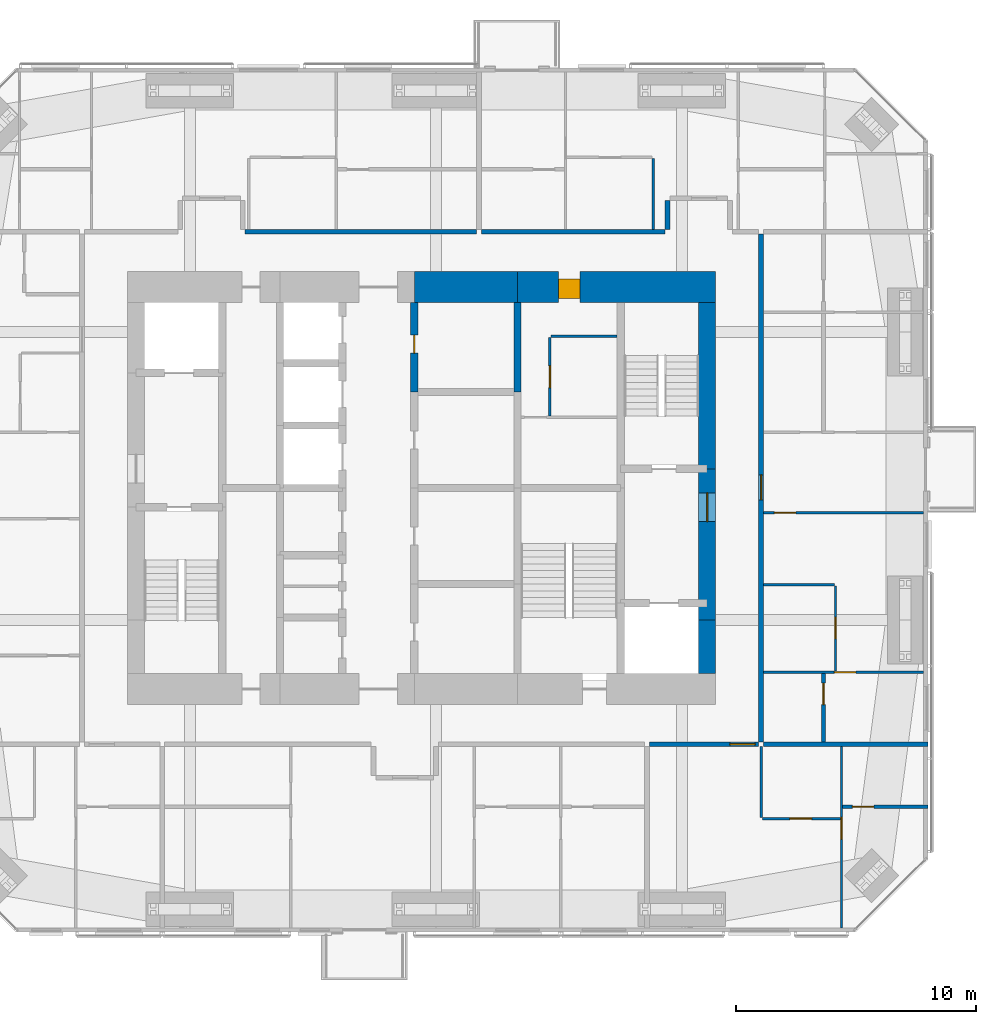
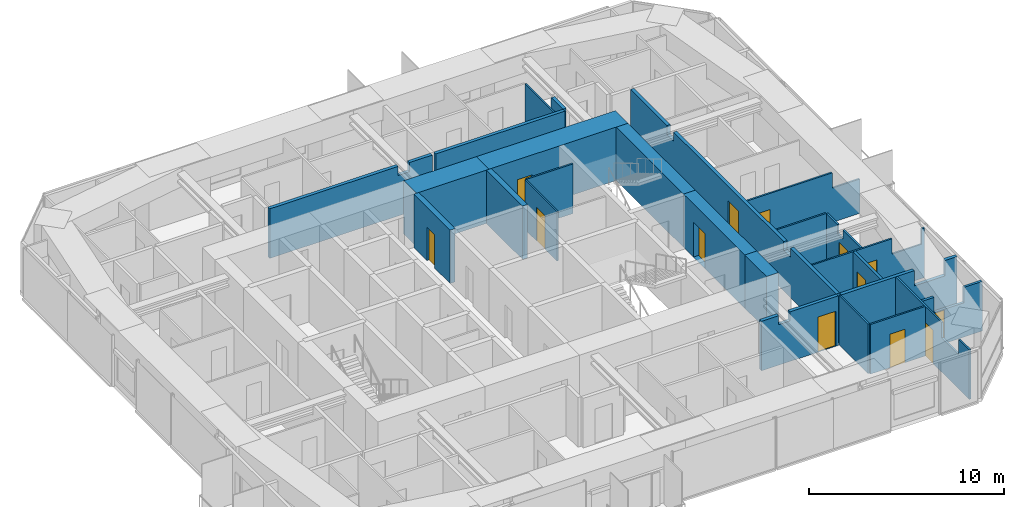
# One storey, part 19 of 23: 25 walls, 13 doors, 13 openings.
"""IFC4 building model written with IfcOpenShell, lengths in metres."""

from ifc_helpers import new_model, si_unit, direction, frame, frame_2d, origin, place, context, subcontext, project, spatial, polyline, rectangle, outline, extrude, material, layer, layer_set, constituent, constituent_set, type_object, element, fill, save


model = new_model("IFC4")

# Units and contexts
model_context = context("Model", 3, precision=1e-05, world=origin(), true_north=direction((0.0, 1.0)))
body_context = subcontext(model_context, "Body", "Model", "MODEL_VIEW")
ifc_project = project(units=[si_unit("LENGTHUNIT", "METRE"), si_unit("AREAUNIT", "SQUARE_METRE"), si_unit("VOLUMEUNIT", "CUBIC_METRE"), si_unit("PLANEANGLEUNIT", "RADIAN"), si_unit("MASSUNIT", "GRAM", prefix="KILO")], contexts=[model_context])

# Site, building, storey
site_placement = place(None, origin())
site = spatial("IfcSite", under=ifc_project, at=site_placement, CompositionType="ELEMENT")
building_placement = place(site_placement, origin())
building = spatial("IfcBuilding", under=site, at=building_placement, Name="Jalousie Tower", CompositionType="ELEMENT")
storey_placement = place(building_placement, frame((0.0, 0.0, 197.89990234375)))
storey = spatial("IfcBuildingStorey", under=building, at=storey_placement, Name="L54", CompositionType="ELEMENT", Elevation=197.89990234375)

# Wall, opening, door
ifc_material_1 = material(Name="Concrete block ASTM C90", Category="concrete")
ifc_constituent_1 = constituent(ifc_material_1, Name="Body")
ifc_material_2 = material(Name="Render")
ifc_constituent_2 = constituent(ifc_material_2, Name="Finish")
ifc_constituent_set_1 = constituent_set(constituents=[ifc_constituent_1, ifc_constituent_2])
wall_type_1 = type_object("IfcWallType", Name="BATHROOM WALL 150", PredefinedType="PLUMBINGWALL", material=ifc_constituent_set_1)
wall_1_placement = place(storey_placement, frame((49.449951171875, 5.22509765625, 0.0), z_axis=(0.0, 0.0, 1.0), x_axis=(1.0, 0.0, 0.0)))
wall_1 = element("IfcWall", 1, at=wall_1_placement, inside=storey, type_object=wall_type_1, Name="Bathroom Wall 150 L54", PredefinedType="PLUMBINGWALL", context=body_context, shape_type="SweptSolid", body=[
    extrude(outline(polyline([(0.0, 0.0), (3.550048828125, 0.0), (3.550048828125, 3.110107421875), (2.4716796875, 3.110107421875), (2.4716796875, 2.150146484375), (0.6865234375, 2.150146484375), (0.6865234375, 3.110107421875), (0.0, 3.110107421875), (0.0, 0.0)])), frame((0.0, 0.074951171875, 0.0), z_axis=(0.0, -1.0, 0.0), x_axis=(1.0, 0.0, 0.0)), (0.0, 0.0, 1.0), 0.14990234375),
])
opening_1_placement = place(wall_1_placement, frame((0.39990234375, 0.0, 0.0)))
opening_1 = element("IfcOpeningElement", 2, at=opening_1_placement, cuts=wall_1, Name="Opening D3", PredefinedType="OPENING", context=body_context, shape_type="SweptSolid", body=[
    extrude(rectangle(XDim=0.89990234375, YDim=2.10009765625, at=frame_2d((0.449951171875, 1.050048828125))), frame((0.0, 0.0849609375, 0.0), z_axis=(0.0, -1.0, 0.0), x_axis=(1.0, 0.0, 0.0)), (0.0, 0.0, 1.0), 0.169921875),
])
ifc_material_3 = material(Name="Timber door", Category="wood")
door_type_1 = type_object("IfcDoorType", Name="BATHROOM DOOR 900", OperationType="SINGLE_SWING_LEFT", PredefinedType="DOOR", material=ifc_material_3)
door_1_placement = place(opening_1_placement, origin())
door_1 = element("IfcDoor", 3, at=door_1_placement, inside=storey, type_object=door_type_1, Name="Apartment 5403 bedroom 1 bathroom door", OperationType="SINGLE_SWING_LEFT", OverallHeight=2.10009765625, OverallWidth=0.89990234375, PredefinedType="DOOR", context=body_context, shape_type="SweptSolid", body=[
    extrude(rectangle(XDim=0.89990234375, YDim=2.10009765625, at=frame_2d((0.449951171875, 1.050048828125))), frame((0.0, 0.02490234375, 0.0), z_axis=(0.0, -1.0, 0.0), x_axis=(1.0, 0.0, 0.0)), (0.0, 0.0, 1.0), 0.050048828125),
])
fill(opening_1, door_1)

wall_2_placement = place(storey_placement, frame((48.64990234375, 7.925048828125, 0.0), z_axis=(0.0, 0.0, 1.0), x_axis=(0.0, 1.0, 0.0)))
wall_2 = element("IfcWall", 4, at=wall_2_placement, inside=storey, type_object=wall_type_1, Name="Bathroom Wall 150 L54", PredefinedType="PLUMBINGWALL", context=body_context, shape_type="SweptSolid", body=[
    extrude(rectangle(XDim=2.849853515625, YDim=0.14990234375, at=frame_2d((1.4248046875, 0.0))), origin(), (0.0, 0.0, 1.0), 3.110107421875),
])
opening_2_placement = place(wall_2_placement, frame((1.550048828125, 0.0, 0.0)))
opening_2 = element("IfcOpeningElement", 5, at=opening_2_placement, cuts=wall_2, Name="Opening D3", PredefinedType="OPENING", context=body_context, shape_type="SweptSolid", body=[
    extrude(rectangle(XDim=0.89990234375, YDim=2.10009765625, at=frame_2d((0.449951171875, 1.050048828125))), frame((0.0, 0.0849609375, 0.0), z_axis=(0.0, -1.0, 0.0), x_axis=(1.0, 0.0, 0.0)), (0.0, 0.0, 1.0), 0.169921875),
])
door_2_placement = place(opening_2_placement, origin())
door_2 = element("IfcDoor", 6, at=door_2_placement, inside=storey, type_object=door_type_1, Name="Apartment 5407 bedroom 1 bathroom door", OperationType="SINGLE_SWING_RIGHT", OverallHeight=2.10009765625, OverallWidth=0.89990234375, PredefinedType="DOOR", context=body_context, shape_type="SweptSolid", body=[
    extrude(rectangle(XDim=0.89990234375, YDim=2.10009765625, at=frame_2d((0.449951171875, 1.050048828125))), frame((0.0, 0.02490234375, 0.0), z_axis=(0.0, -1.0, 0.0), x_axis=(1.0, 0.0, 0.0)), (0.0, 0.0, 1.0), 0.050048828125),
])
fill(opening_2, door_2)

ifc_material_4 = material(Name="Concrete f'c 120 MPa", Category="concrete")
ifc_layer_1 = layer(ifc_material_4, 1.300048828125)
ifc_layer_set_1 = layer_set([ifc_layer_1], Name="Concrete f'c 120 MPa")
wall_type_2 = type_object("IfcWallType", Name="CORE WALL 1300", PredefinedType="SHEAR", material=ifc_layer_set_1)
wall_3_placement = place(storey_placement, frame((44.14990234375, 26.875, 0.0), z_axis=(0.0, 0.0, 1.0), x_axis=(-1.0, 0.0, 0.0)))
wall_3 = element("IfcWall", 7, at=wall_3_placement, inside=storey, type_object=wall_type_2, Name="Core wall NA L54", PredefinedType="SHEAR", context=body_context, shape_type="SweptSolid", body=[
    extrude(rectangle(XDim=8.25, YDim=1.300048828125, at=frame_2d((4.125, 0.0))), origin(), (0.0, 0.0, 1.0), 3.35009765625),
])
opening_3_placement = place(wall_3_placement, frame((5.64990234375, 0.0, 0.0)))
opening_3 = element("IfcOpeningElement", 8, at=opening_3_placement, cuts=wall_3, Name="Opening D25", PredefinedType="OPENING", context=body_context, shape_type="SweptSolid", body=[
    extrude(rectangle(XDim=0.89990234375, YDim=2.10009765625, at=frame_2d((0.449951171875, 1.050048828125))), frame((0.0, 0.659912109375, 0.0), z_axis=(0.0, -1.0, 0.0), x_axis=(1.0, 0.0, 0.0)), (0.0, 0.0, 1.0), 1.320068359375),
])
ifc_material_5 = material(Name="Steel fire door", Category="steel")
door_type_2 = type_object("IfcDoorType", Name="SERVICE LOBBY DOOR 900", OperationType="SINGLE_SWING_LEFT", PredefinedType="DOOR", material=ifc_material_5)
door_3_placement = place(opening_3_placement, origin())
door_3 = element("IfcDoor", 9, at=door_3_placement, inside=storey, type_object=door_type_2, Name="Service lobby door", OperationType="SINGLE_SWING_RIGHT", OverallHeight=2.10009765625, OverallWidth=0.89990234375, PredefinedType="DOOR", context=body_context, shape_type="SweptSolid", body=[
    extrude(rectangle(XDim=0.89990234375, YDim=2.10009765625, at=frame_2d((0.449951171875, 1.050048828125))), frame((0.0, 0.47021484375, 0.0), z_axis=(0.0, -1.0, 0.0), x_axis=(1.0, 0.0, 0.0)), (0.0, 0.0, 1.0), 0.800048828125),
])
fill(opening_3, door_3)

# Wall
wall_4_placement = place(storey_placement, frame((35.89990234375, 26.875, 0.0), z_axis=(0.0, 0.0, 1.0), x_axis=(-1.0, 0.0, 0.0)))
element("IfcWall", 10, at=wall_4_placement, inside=storey, type_object=wall_type_2, Name="Core wall NB L54", PredefinedType="SHEAR", context=body_context, shape_type="SweptSolid", body=[
    extrude(rectangle(XDim=4.2998046875, YDim=1.300048828125, at=frame_2d((2.14990234375, 0.0))), origin(), (0.0, 0.0, 1.0), 3.35009765625),
])

# Wall, opening, door
ifc_material_6 = material(Name="Concrete f'c 120 MPa", Category="concrete")
ifc_layer_2 = layer(ifc_material_6, 0.300048828125)
ifc_layer_set_2 = layer_set([ifc_layer_2], Name="Concrete f'c 120 MPa")
wall_type_3 = type_object("IfcWallType", Name="CORE WALL 300", PredefinedType="SHEAR", material=ifc_layer_set_2)
wall_5_placement = place(storey_placement, frame((31.60009765625, 22.5, 0.0), z_axis=(0.0, 0.0, 1.0), x_axis=(0.0, 1.0, 0.0)))
wall_5 = element("IfcWall", 11, at=wall_5_placement, inside=storey, type_object=wall_type_3, Name="Core wall X31.6D L54", PredefinedType="SHEAR", context=body_context, shape_type="SweptSolid", body=[
    extrude(rectangle(XDim=3.72509765625, YDim=0.300048828125, at=frame_2d((1.862548828125, 0.0))), origin(), (0.0, 0.0, 1.0), 3.35009765625),
])
opening_4_placement = place(wall_5_placement, frame((1.625, 0.0, 0.0)))
opening_4 = element("IfcOpeningElement", 12, at=opening_4_placement, cuts=wall_5, Name="Opening D16", PredefinedType="OPENING", context=body_context, shape_type="SweptSolid", body=[
    extrude(rectangle(XDim=0.75, YDim=2.10009765625, at=frame_2d((0.375, 1.050048828125))), frame((0.0, 0.159912109375, 0.0), z_axis=(0.0, -1.0, 0.0), x_axis=(1.0, 0.0, 0.0)), (0.0, 0.0, 1.0), 0.320068359375),
])
ifc_material_7 = material(Name="Steel fire door", Category="steel")
door_type_3 = type_object("IfcDoorType", Name="RISER DOOR 750", OperationType="SINGLE_SWING_LEFT", PredefinedType="DOOR", material=ifc_material_7)
door_4_placement = place(opening_4_placement, frame((0.75, 0.0, 0.0), z_axis=(0.0, 0.0, 1.0), x_axis=(-1.0, 0.0, 0.0)))
door_4 = element("IfcDoor", 13, at=door_4_placement, inside=storey, type_object=door_type_3, Name="Water Services Room door", OperationType="SINGLE_SWING_LEFT", OverallHeight=2.10009765625, OverallWidth=0.75, PredefinedType="DOOR", context=body_context, shape_type="SweptSolid", body=[
    extrude(rectangle(XDim=0.75, YDim=2.10009765625, at=frame_2d((0.375, 1.050048828125))), frame((0.0, 0.02490234375, 0.0), z_axis=(0.0, -1.0, 0.0), x_axis=(1.0, 0.0, 0.0)), (0.0, 0.0, 1.0), 0.050048828125),
])
fill(opening_4, door_4)

# Walls
wall_6_placement = place(storey_placement, frame((35.89990234375, 22.5, 0.0), z_axis=(0.0, 0.0, 1.0), x_axis=(0.0, 1.0, 0.0)))
element("IfcWall", 14, at=wall_6_placement, inside=storey, type_object=wall_type_3, Name="Core wall X35.9D L54", PredefinedType="SHEAR", context=body_context, shape_type="SweptSolid", body=[
    extrude(rectangle(XDim=3.72509765625, YDim=0.300048828125, at=frame_2d((1.862548828125, 0.0))), origin(), (0.0, 0.0, 1.0), 3.35009765625),
])
ifc_material_8 = material(Name="Concrete f'c 120 MPa", Category="concrete")
ifc_layer_3 = layer(ifc_material_8, 0.699951171875)
ifc_layer_set_3 = layer_set([ifc_layer_3], Name="Concrete f'c 120 MPa")
wall_type_4 = type_object("IfcWallType", Name="CORE WALL 700", PredefinedType="SHEAR", material=ifc_layer_set_3)
wall_7_placement = place(storey_placement, frame((43.800048828125, 10.77490234375, 0.0), z_axis=(0.0, 0.0, 1.0), x_axis=(0.0, 1.0, 0.0)))
element("IfcWall", 15, at=wall_7_placement, inside=storey, type_object=wall_type_4, Name="Core wall EA L54", PredefinedType="SHEAR", context=body_context, shape_type="SweptSolid", body=[
    extrude(rectangle(XDim=2.22509765625, YDim=0.699951171875, at=frame_2d((1.112548828125, 0.0))), origin(), (0.0, 0.0, 1.0), 3.35009765625),
])

# Wall, opening, door
wall_8_placement = place(storey_placement, frame((43.800048828125, 13.0, 0.0), z_axis=(0.0, 0.0, 1.0), x_axis=(0.0, 1.0, 0.0)))
wall_8 = element("IfcWall", 16, at=wall_8_placement, inside=storey, type_object=wall_type_4, Name="Core wall EB L54", PredefinedType="SHEAR", context=body_context, shape_type="SweptSolid", body=[
    extrude(rectangle(XDim=6.300048828125, YDim=0.699951171875, at=frame_2d((3.14990234375, 0.0))), origin(), (0.0, 0.0, 1.0), 3.35009765625),
])
opening_5_placement = place(wall_8_placement, frame((4.10009765625, 0.0, 0.0)))
opening_5 = element("IfcOpeningElement", 17, at=opening_5_placement, cuts=wall_8, Name="Opening D11", PredefinedType="OPENING", context=body_context, shape_type="SweptSolid", body=[
    extrude(rectangle(XDim=1.199951171875, YDim=2.199951171875, at=frame_2d((0.60009765625, 1.10009765625))), frame((0.0, 0.35986328125, 0.0), z_axis=(0.0, -1.0, 0.0), x_axis=(1.0, 0.0, 0.0)), (0.0, 0.0, 1.0), 0.719970703125),
])
ifc_material_9 = material(Name="Steel fire door", Category="steel")
door_type_4 = type_object("IfcDoorType", Name="FIRE DOOR 1200", OperationType="SINGLE_SWING_LEFT", PredefinedType="DOOR", material=ifc_material_9)
door_5_placement = place(opening_5_placement, origin())
door_5 = element("IfcDoor", 18, at=door_5_placement, inside=storey, type_object=door_type_4, Name="Fire-fighting lobby B door", OperationType="SINGLE_SWING_RIGHT", OverallHeight=2.199951171875, OverallWidth=1.199951171875, PredefinedType="DOOR", context=body_context, shape_type="SweptSolid", body=[
    extrude(rectangle(XDim=1.199951171875, YDim=2.199951171875, at=frame_2d((0.60009765625, 1.10009765625))), frame((0.0, 0.02490234375, 0.0), z_axis=(0.0, -1.0, 0.0), x_axis=(1.0, 0.0, 0.0)), (0.0, 0.0, 1.0), 0.050048828125),
])
fill(opening_5, door_5)

# Wall
wall_9_placement = place(storey_placement, frame((43.800048828125, 19.300048828125, 0.0), z_axis=(0.0, 0.0, 1.0), x_axis=(0.0, 1.0, 0.0)))
element("IfcWall", 19, at=wall_9_placement, inside=storey, type_object=wall_type_4, Name="Core wall EC L54", PredefinedType="SHEAR", context=body_context, shape_type="SweptSolid", body=[
    extrude(rectangle(XDim=6.925048828125, YDim=0.699951171875, at=frame_2d((3.46240234375, 0.0))), origin(), (0.0, 0.0, 1.0), 3.35009765625),
])

# Wall, opening, door
ifc_material_10 = material(Name="Concrete block ASTM C90", Category="concrete")
ifc_constituent_3 = constituent(ifc_material_10, Name="Body")
ifc_material_11 = material(Name="Render")
ifc_constituent_4 = constituent(ifc_material_11, Name="Finish")
ifc_constituent_set_2 = constituent_set(constituents=[ifc_constituent_3, ifc_constituent_4])
wall_type_5 = type_object("IfcWallType", Name="CORRIDOR WALL 200", PredefinedType="PARTITIONING", material=ifc_constituent_set_2)
wall_10_placement = place(storey_placement, frame((41.39990234375, 7.824951171875, 0.0), z_axis=(0.0, 0.0, 1.0), x_axis=(1.0, 0.0, 0.0)))
wall_10 = element("IfcWall", 20, at=wall_10_placement, inside=storey, type_object=wall_type_5, Name="Corridor Wall 200 L54", PredefinedType="PARTITIONING", context=body_context, shape_type="SweptSolid", body=[
    extrude(outline(polyline([(0.0, 0.0), (4.550048828125, 0.0), (4.550048828125, 3.110107421875), (1.6875, 3.110107421875), (1.6875, 2.541015625), (1.0126953125, 2.541015625), (1.0126953125, 3.110107421875), (0.0, 3.110107421875), (0.0, 0.0)])), frame((0.0, 0.10009765625, 0.0), z_axis=(0.0, -1.0, 0.0), x_axis=(1.0, 0.0, 0.0)), (0.0, 0.0, 1.0), 0.199951171875),
])
opening_6_placement = place(wall_10_placement, frame((3.35009765625, 0.0, 0.0)))
opening_6 = element("IfcOpeningElement", 21, at=opening_6_placement, cuts=wall_10, Name="Opening D1", PredefinedType="OPENING", context=body_context, shape_type="SweptSolid", body=[
    extrude(rectangle(XDim=1.050048828125, YDim=2.199951171875, at=frame_2d((0.52490234375, 1.10009765625))), frame((0.0, 0.10986328125, 0.0), z_axis=(0.0, -1.0, 0.0), x_axis=(1.0, 0.0, 0.0)), (0.0, 0.0, 1.0), 0.219970703125),
])
ifc_material_12 = material(Name="Timber fire door", Category="wood")
door_type_5 = type_object("IfcDoorType", Name="APARTMENT ENTRANCE DOOR 1050", OperationType="SINGLE_SWING_LEFT", PredefinedType="DOOR", material=ifc_material_12)
door_6_placement = place(opening_6_placement, frame((1.050048828125, 0.0, 0.0), z_axis=(0.0, 0.0, 1.0), x_axis=(-1.0, 0.0, 0.0)))
door_6 = element("IfcDoor", 22, at=door_6_placement, inside=storey, type_object=door_type_5, Name="Apartment 5403 entrance", OperationType="SINGLE_SWING_LEFT", OverallHeight=2.199951171875, OverallWidth=1.050048828125, PredefinedType="DOOR", context=body_context, shape_type="SweptSolid", body=[
    extrude(rectangle(XDim=1.050048828125, YDim=2.199951171875, at=frame_2d((0.52490234375, 1.10009765625))), frame((0.0, 0.02490234375, 0.0), z_axis=(0.0, -1.0, 0.0), x_axis=(1.0, 0.0, 0.0)), (0.0, 0.0, 1.0), 0.050048828125),
])
fill(opening_6, door_6)

# Wall
wall_11_placement = place(storey_placement, frame((34.39990234375, 29.175048828125, 0.0), z_axis=(0.0, 0.0, 1.0), x_axis=(1.0, 0.0, 0.0)))
element("IfcWall", 23, at=wall_11_placement, inside=storey, type_object=wall_type_5, Name="Corridor Wall 200 L54", PredefinedType="PARTITIONING", context=body_context, shape_type="SweptSolid", body=[
    extrude(rectangle(XDim=7.650146484375, YDim=0.199951171875, at=frame_2d((3.8251953125, 0.0))), origin(), (0.0, 0.0, 1.0), 3.110107421875),
])

# Wall, opening, door
wall_12_placement = place(storey_placement, frame((46.050048828125, 7.925048828125, 0.0), z_axis=(0.0, 0.0, 1.0), x_axis=(0.0, 1.0, 0.0)))
wall_12 = element("IfcWall", 24, at=wall_12_placement, inside=storey, type_object=wall_type_5, Name="Corridor Wall 200 L54", PredefinedType="PARTITIONING", context=body_context, shape_type="SweptSolid", body=[
    extrude(outline(polyline([(0.0, 0.0), (21.14990234375, 0.0), (21.14990234375, 3.110107421875), (17.412353515625, 3.110107421875), (17.412353515625, 2.541015625), (16.737548828125, 2.541015625), (16.737548828125, 3.110107421875), (5.412353515625, 3.110107421875), (5.412353515625, 2.541015625), (4.73779296875, 2.541015625), (4.73779296875, 3.110107421875), (0.0, 3.110107421875), (0.0, 0.0)])), frame((0.0, 0.10009765625, 0.0), z_axis=(0.0, -1.0, 0.0), x_axis=(1.0, 0.0, 0.0)), (0.0, 0.0, 1.0), 0.199951171875),
])
opening_7_placement = place(wall_12_placement, frame((10.074951171875, 0.0, 0.0)))
opening_7 = element("IfcOpeningElement", 25, at=opening_7_placement, cuts=wall_12, Name="Opening D1", PredefinedType="OPENING", context=body_context, shape_type="SweptSolid", body=[
    extrude(rectangle(XDim=1.050048828125, YDim=2.199951171875, at=frame_2d((0.52490234375, 1.10009765625))), frame((0.0, 0.10986328125, 0.0), z_axis=(0.0, -1.0, 0.0), x_axis=(1.0, 0.0, 0.0)), (0.0, 0.0, 1.0), 0.219970703125),
])
door_7_placement = place(opening_7_placement, frame((1.050048828125, 0.0, 0.0), z_axis=(0.0, 0.0, 1.0), x_axis=(-1.0, 0.0, 0.0)))
door_7 = element("IfcDoor", 26, at=door_7_placement, inside=storey, type_object=door_type_5, Name="Apartment 5407 entrance", OperationType="SINGLE_SWING_RIGHT", OverallHeight=2.199951171875, OverallWidth=1.050048828125, PredefinedType="DOOR", context=body_context, shape_type="SweptSolid", body=[
    extrude(rectangle(XDim=1.050048828125, YDim=2.199951171875, at=frame_2d((0.52490234375, 1.10009765625))), frame((0.0, 0.02490234375, 0.0), z_axis=(0.0, -1.0, 0.0), x_axis=(1.0, 0.0, 0.0)), (0.0, 0.0, 1.0), 0.050048828125),
])
fill(opening_7, door_7)

# Walls
wall_13_placement = place(storey_placement, frame((24.550048828125, 29.175048828125, 0.0), z_axis=(0.0, 0.0, 1.0), x_axis=(1.0, 0.0, 0.0)))
element("IfcWall", 27, at=wall_13_placement, inside=storey, type_object=wall_type_5, Name="Corridor Wall 200 L54", PredefinedType="PARTITIONING", context=body_context, shape_type="SweptSolid", body=[
    extrude(outline(polyline([(0.0, 0.0), (9.64990234375, 0.0), (9.64990234375, 3.110107421875), (8.287353515625, 3.110107421875), (8.287353515625, 2.541015625), (7.612548828125, 2.541015625), (7.612548828125, 3.110107421875), (0.0, 3.110107421875), (0.0, 0.0)])), frame((0.0, 0.10009765625, 0.0), z_axis=(0.0, -1.0, 0.0), x_axis=(1.0, 0.0, 0.0)), (0.0, 0.0, 1.0), 0.199951171875),
])
wall_14_placement = place(storey_placement, frame((42.14990234375, 29.27490234375, 0.0), z_axis=(0.0, 0.0, 1.0), x_axis=(0.0, 1.0, 0.0)))
element("IfcWall", 28, at=wall_14_placement, inside=storey, type_object=wall_type_5, Name="Corridor Wall 200 L54", PredefinedType="PARTITIONING", context=body_context, shape_type="SweptSolid", body=[
    extrude(rectangle(XDim=1.2001953125, YDim=0.199951171875, at=frame_2d((0.60009765625, 0.0))), origin(), (0.0, 0.0, 1.0), 3.110107421875),
])

# Wall, opening, door
ifc_material_13 = material(Name="Gypsum board", Category="gypsum")
ifc_constituent_5 = constituent(ifc_material_13, Name="Body")
ifc_material_14 = material(Name="Light-gauge steel studs ASTM A653 SS Grade 33", Category="steel")
ifc_constituent_6 = constituent(ifc_material_14, Name="Framing")
ifc_constituent_set_3 = constituent_set(constituents=[ifc_constituent_5, ifc_constituent_6])
wall_type_6 = type_object("IfcWallType", Name="PARTITION 100", PredefinedType="PARTITIONING", material=ifc_constituent_set_3)
wall_15_placement = place(storey_placement, frame((49.39990234375, 0.175048828125, 0.0), z_axis=(0.0, 0.0, 1.0), x_axis=(0.0, 1.0, 0.0)))
wall_15 = element("IfcWall", 29, at=wall_15_placement, inside=storey, type_object=wall_type_6, Name="Partition 100 L54", PredefinedType="PARTITIONING", context=body_context, shape_type="SweptSolid", body=[
    extrude(outline(polyline([(0.0, 0.0), (7.550048828125, 0.0), (7.550048828125, 3.110107421875), (2.825439453125, 3.110107421875), (2.825439453125, 2.150146484375), (1.07861328125, 2.150146484375), (1.07861328125, 3.110107421875), (0.0, 3.110107421875), (0.0, 0.0)])), frame((0.0, 0.050048828125, 0.0), z_axis=(0.0, -1.0, 0.0), x_axis=(1.0, 0.0, 0.0)), (0.0, 0.0, 1.0), 0.10009765625),
])
opening_8_placement = place(wall_15_placement, frame((3.699951171875, 0.0, 0.0)))
opening_8 = element("IfcOpeningElement", 30, at=opening_8_placement, cuts=wall_15, Name="Opening D2", PredefinedType="OPENING", context=body_context, shape_type="SweptSolid", body=[
    extrude(rectangle(XDim=0.89990234375, YDim=2.10009765625, at=frame_2d((0.449951171875, 1.050048828125))), frame((0.0, 0.06005859375, 0.0), z_axis=(0.0, -1.0, 0.0), x_axis=(1.0, 0.0, 0.0)), (0.0, 0.0, 1.0), 0.1201171875),
])
ifc_material_15 = material(Name="Timber door", Category="wood")
door_type_6 = type_object("IfcDoorType", Name="BEDROOM DOOR 900", OperationType="SINGLE_SWING_LEFT", PredefinedType="DOOR", material=ifc_material_15)
door_8_placement = place(opening_8_placement, frame((0.89990234375, 0.0, 0.0), z_axis=(0.0, 0.0, 1.0), x_axis=(-1.0, 0.0, 0.0)))
door_8 = element("IfcDoor", 31, at=door_8_placement, inside=storey, type_object=door_type_6, Name="Apartment 5403 bedroom 1 door", OperationType="SINGLE_SWING_LEFT", OverallHeight=2.10009765625, OverallWidth=0.89990234375, PredefinedType="DOOR", context=body_context, shape_type="SweptSolid", body=[
    extrude(rectangle(XDim=0.89990234375, YDim=2.10009765625, at=frame_2d((0.449951171875, 1.050048828125))), frame((0.0, 0.02490234375, 0.0), z_axis=(0.0, -1.0, 0.0), x_axis=(1.0, 0.0, 0.0)), (0.0, 0.0, 1.0), 0.050048828125),
])
fill(opening_8, door_8)

wall_16_placement = place(storey_placement, frame((46.10009765625, 4.72509765625, 0.0), z_axis=(0.0, 0.0, 1.0), x_axis=(1.0, 0.0, 0.0)))
wall_16 = element("IfcWall", 32, at=wall_16_placement, inside=storey, type_object=wall_type_6, Name="Partition 100 L54", PredefinedType="PARTITIONING", context=body_context, shape_type="SweptSolid", body=[
    extrude(rectangle(XDim=3.25, YDim=0.10009765625, at=frame_2d((1.625, 0.0))), origin(), (0.0, 0.0, 1.0), 3.110107421875),
])
opening_9_placement = place(wall_16_placement, frame((1.14990234375, 0.0, 0.0)))
opening_9 = element("IfcOpeningElement", 33, at=opening_9_placement, cuts=wall_16, Name="Opening D7", PredefinedType="OPENING", context=body_context, shape_type="SweptSolid", body=[
    extrude(rectangle(XDim=0.89990234375, YDim=2.10009765625, at=frame_2d((0.449951171875, 1.050048828125))), frame((0.0, 0.06005859375, 0.0), z_axis=(0.0, -1.0, 0.0), x_axis=(1.0, 0.0, 0.0)), (0.0, 0.0, 1.0), 0.1201171875),
])
ifc_material_16 = material(Name="Timber door", Category="wood")
door_type_7 = type_object("IfcDoorType", Name="INTERNAL DOOR 900", OperationType="SINGLE_SWING_LEFT", PredefinedType="DOOR", material=ifc_material_16)
door_9_placement = place(opening_9_placement, frame((0.89990234375, 0.0, 0.0), z_axis=(0.0, 0.0, 1.0), x_axis=(-1.0, 0.0, 0.0)))
door_9 = element("IfcDoor", 34, at=door_9_placement, inside=storey, type_object=door_type_7, Name="Apartment 5403 kitchen door", OperationType="SINGLE_SWING_LEFT", OverallHeight=2.10009765625, OverallWidth=0.89990234375, PredefinedType="DOOR", context=body_context, shape_type="SweptSolid", body=[
    extrude(rectangle(XDim=0.89990234375, YDim=2.10009765625, at=frame_2d((0.449951171875, 1.050048828125))), frame((0.0, 0.02490234375, 0.0), z_axis=(0.0, -1.0, 0.0), x_axis=(1.0, 0.0, 0.0)), (0.0, 0.0, 1.0), 0.050048828125),
])
fill(opening_9, door_9)

# Walls
for number, where, z_axis, x_axis, name in (
    (35, (46.050048828125, 4.77490234375, 0.0), (0.0, 0.0, 1.0), (0.0, 1.0, 0.0), "Partition 100 L54"),
    (36, (41.550048828125, 32.22509765625, 0.0), (0.0, 0.0, 1.0), (0.0, -1.0, 0.0), "Partition 100 L54"),
):
    element("IfcWall", number, at=place(storey_placement, frame(where, z_axis=z_axis, x_axis=x_axis)), inside=storey, type_object=wall_type_6, Name=name, PredefinedType="PARTITIONING", context=body_context, shape_type="SweptSolid", body=[
        extrude(rectangle(XDim=2.9501953125, YDim=0.10009765625, at=frame_2d((1.47509765625, 0.0))), origin(), (0.0, 0.0, 1.0), 3.110107421875),
    ])

# Wall, opening, door
wall_17_placement = place(storey_placement, frame((52.824951171875, 10.824951171875, 0.0), z_axis=(0.0, 0.0, 1.0), x_axis=(-1.0, 0.0, 0.0)))
wall_17 = element("IfcWall", 37, at=wall_17_placement, inside=storey, type_object=wall_type_6, Name="Partition 100 L54", PredefinedType="PARTITIONING", context=body_context, shape_type="SweptSolid", body=[
    extrude(outline(polyline([(0.0, 0.0), (6.675048828125, 0.0), (6.675048828125, 3.110107421875), (1.927978515625, 3.110107421875), (1.927978515625, 2.150146484375), (0.193115234375, 2.150146484375), (0.193115234375, 3.110107421875), (0.0, 3.110107421875), (0.0, 0.0)])), frame((0.0, 0.050048828125, 0.0), z_axis=(0.0, -1.0, 0.0), x_axis=(1.0, 0.0, 0.0)), (0.0, 0.0, 1.0), 0.10009765625),
])
opening_10_placement = place(wall_17_placement, frame((2.824951171875, 0.0, 0.0)))
opening_10 = element("IfcOpeningElement", 38, at=opening_10_placement, cuts=wall_17, Name="Opening D2", PredefinedType="OPENING", context=body_context, shape_type="SweptSolid", body=[
    extrude(rectangle(XDim=0.89990234375, YDim=2.10009765625, at=frame_2d((0.449951171875, 1.050048828125))), frame((0.0, 0.06005859375, 0.0), z_axis=(0.0, -1.0, 0.0), x_axis=(1.0, 0.0, 0.0)), (0.0, 0.0, 1.0), 0.1201171875),
])
door_10_placement = place(opening_10_placement, origin())
door_10 = element("IfcDoor", 39, at=door_10_placement, inside=storey, type_object=door_type_6, Name="Apartment 5407 bedroom 1 door", OperationType="SINGLE_SWING_RIGHT", OverallHeight=2.10009765625, OverallWidth=0.89990234375, PredefinedType="DOOR", context=body_context, shape_type="SweptSolid", body=[
    extrude(rectangle(XDim=0.89990234375, YDim=2.10009765625, at=frame_2d((0.449951171875, 1.050048828125))), frame((0.0, 0.02490234375, 0.0), z_axis=(0.0, -1.0, 0.0), x_axis=(1.0, 0.0, 0.0)), (0.0, 0.0, 1.0), 0.050048828125),
])
fill(opening_10, door_10)

wall_18_placement = place(storey_placement, frame((52.824951171875, 17.47509765625, 0.0), z_axis=(0.0, 0.0, 1.0), x_axis=(-1.0, 0.0, 0.0)))
wall_18 = element("IfcWall", 40, at=wall_18_placement, inside=storey, type_object=wall_type_6, Name="Partition 100 L54", PredefinedType="PARTITIONING", context=body_context, shape_type="SweptSolid", body=[
    extrude(outline(polyline([(0.0, 0.0), (6.675048828125, 0.0), (6.675048828125, 3.110107421875), (1.635009765625, 3.110107421875), (1.635009765625, 2.150146484375), (0.0, 2.150146484375), (0.0, 3.110107421875), (0.0, 0.0)])), frame((0.0, 0.050048828125, 0.0), z_axis=(0.0, -1.0, 0.0), x_axis=(1.0, 0.0, 0.0)), (0.0, 0.0, 1.0), 0.10009765625),
])
opening_11_placement = place(wall_18_placement, frame((5.324951171875, 0.0, 0.0)))
opening_11 = element("IfcOpeningElement", 41, at=opening_11_placement, cuts=wall_18, Name="Opening D2", PredefinedType="OPENING", context=body_context, shape_type="SweptSolid", body=[
    extrude(rectangle(XDim=0.89990234375, YDim=2.10009765625, at=frame_2d((0.449951171875, 1.050048828125))), frame((0.0, 0.06005859375, 0.0), z_axis=(0.0, -1.0, 0.0), x_axis=(1.0, 0.0, 0.0)), (0.0, 0.0, 1.0), 0.1201171875),
])
door_11_placement = place(opening_11_placement, frame((0.89990234375, 0.0, 0.0), z_axis=(0.0, 0.0, 1.0), x_axis=(-1.0, 0.0, 0.0)))
door_11 = element("IfcDoor", 42, at=door_11_placement, inside=storey, type_object=door_type_6, Name="Apartment 5407 study door", OperationType="SINGLE_SWING_LEFT", OverallHeight=2.10009765625, OverallWidth=0.89990234375, PredefinedType="DOOR", context=body_context, shape_type="SweptSolid", body=[
    extrude(rectangle(XDim=0.89990234375, YDim=2.10009765625, at=frame_2d((0.449951171875, 1.050048828125))), frame((0.0, 0.02490234375, 0.0), z_axis=(0.0, -1.0, 0.0), x_axis=(1.0, 0.0, 0.0)), (0.0, 0.0, 1.0), 0.050048828125),
])
fill(opening_11, door_11)

wall_19_placement = place(storey_placement, frame((49.14990234375, 10.875, 0.0), z_axis=(0.0, 0.0, 1.0), x_axis=(0.0, 1.0, 0.0)))
wall_19 = element("IfcWall", 43, at=wall_19_placement, inside=storey, type_object=wall_type_6, Name="Partition 100 L54", PredefinedType="PARTITIONING", context=body_context, shape_type="SweptSolid", body=[
    extrude(outline(polyline([(0.0, 0.0), (3.550048828125, 0.0), (3.550048828125, 3.110107421875), (2.412353515625, 3.110107421875), (2.412353515625, 2.541015625), (1.837646484375, 2.541015625), (1.837646484375, 3.110107421875), (0.0, 3.110107421875), (0.0, 0.0)])), frame((0.0, 0.050048828125, 0.0), z_axis=(0.0, -1.0, 0.0), x_axis=(1.0, 0.0, 0.0)), (0.0, 0.0, 1.0), 0.10009765625),
])
opening_12_placement = place(wall_19_placement, frame((1.35009765625, 0.0, 0.0)))
opening_12 = element("IfcOpeningElement", 44, at=opening_12_placement, cuts=wall_19, Name="Opening D7", PredefinedType="OPENING", context=body_context, shape_type="SweptSolid", body=[
    extrude(rectangle(XDim=0.89990234375, YDim=2.10009765625, at=frame_2d((0.449951171875, 1.050048828125))), frame((0.0, 0.06005859375, 0.0), z_axis=(0.0, -1.0, 0.0), x_axis=(1.0, 0.0, 0.0)), (0.0, 0.0, 1.0), 0.1201171875),
])
door_12_placement = place(opening_12_placement, origin())
door_12 = element("IfcDoor", 45, at=door_12_placement, inside=storey, type_object=door_type_7, Name="Apartment 5407 kitchen door", OperationType="SINGLE_SWING_RIGHT", OverallHeight=2.10009765625, OverallWidth=0.89990234375, PredefinedType="DOOR", context=body_context, shape_type="SweptSolid", body=[
    extrude(rectangle(XDim=0.89990234375, YDim=2.10009765625, at=frame_2d((0.449951171875, 1.050048828125))), frame((0.0, 0.02490234375, 0.0), z_axis=(0.0, -1.0, 0.0), x_axis=(1.0, 0.0, 0.0)), (0.0, 0.0, 1.0), 0.050048828125),
])
fill(opening_12, door_12)

# Walls
wall_20_placement = place(storey_placement, frame((49.10009765625, 14.47509765625, 0.0), z_axis=(0.0, 0.0, 1.0), x_axis=(-1.0, 0.0, 0.0)))
element("IfcWall", 46, at=wall_20_placement, inside=storey, type_object=wall_type_6, Name="Partition 100 L54", PredefinedType="PARTITIONING", context=body_context, shape_type="SweptSolid", body=[
    extrude(rectangle(XDim=2.9501953125, YDim=0.10009765625, at=frame_2d((1.47509765625, 0.0))), origin(), (0.0, 0.0, 1.0), 3.110107421875),
])
wall_21_placement = place(storey_placement, frame((37.300048828125, 24.824951171875, 0.0), z_axis=(0.0, 0.0, 1.0), x_axis=(1.0, 0.0, 0.0)))
element("IfcWall", 47, at=wall_21_placement, inside=storey, type_object=wall_type_6, Name="Partition 100 L54", PredefinedType="PARTITIONING", context=body_context, shape_type="SweptSolid", body=[
    extrude(rectangle(XDim=2.75, YDim=0.10009765625, at=frame_2d((1.375, 0.0))), origin(), (0.0, 0.0, 1.0), 3.110107421875),
])

# Wall, opening, door
wall_22_placement = place(storey_placement, frame((37.25, 21.5, 0.0), z_axis=(0.0, 0.0, 1.0), x_axis=(0.0, 1.0, 0.0)))
wall_22 = element("IfcWall", 48, at=wall_22_placement, inside=storey, type_object=wall_type_6, Name="Partition 100 L54", PredefinedType="PARTITIONING", context=body_context, shape_type="SweptSolid", body=[
    extrude(rectangle(XDim=3.27490234375, YDim=0.10009765625, at=frame_2d((1.637451171875, 0.0))), origin(), (0.0, 0.0, 1.0), 3.110107421875),
])
opening_13_placement = place(wall_22_placement, frame((1.1875, 0.0, 0.0)))
opening_13 = element("IfcOpeningElement", 49, at=opening_13_placement, cuts=wall_22, Name="Opening D7", PredefinedType="OPENING", context=body_context, shape_type="SweptSolid", body=[
    extrude(rectangle(XDim=0.89990234375, YDim=2.10009765625, at=frame_2d((0.449951171875, 1.050048828125))), frame((0.0, 0.06005859375, 0.0), z_axis=(0.0, -1.0, 0.0), x_axis=(1.0, 0.0, 0.0)), (0.0, 0.0, 1.0), 0.1201171875),
])
door_13_placement = place(opening_13_placement, frame((0.89990234375, 0.0, 0.0), z_axis=(0.0, 0.0, 1.0), x_axis=(-1.0, 0.0, 0.0)))
door_13 = element("IfcDoor", 50, at=door_13_placement, inside=storey, type_object=door_type_7, Name="Ice and vending room door", OperationType="SINGLE_SWING_LEFT", OverallHeight=2.10009765625, OverallWidth=0.89990234375, PredefinedType="DOOR", context=body_context, shape_type="SweptSolid", body=[
    extrude(rectangle(XDim=0.89990234375, YDim=2.10009765625, at=frame_2d((0.449951171875, 1.050048828125))), frame((0.0, 0.02490234375, 0.0), z_axis=(0.0, -1.0, 0.0), x_axis=(1.0, 0.0, 0.0)), (0.0, 0.0, 1.0), 0.050048828125),
])
fill(opening_13, door_13)

# Wall
ifc_material_17 = material(Name="Concrete block ASTM C90", Category="concrete")
ifc_constituent_7 = constituent(ifc_material_17, Name="Body")
ifc_material_18 = material(Name="Render")
ifc_constituent_8 = constituent(ifc_material_18, Name="Finish")
ifc_constituent_set_4 = constituent_set(constituents=[ifc_constituent_7, ifc_constituent_8])
wall_type_7 = type_object("IfcWallType", Name="PARTY WALL 200", PredefinedType="PARTITIONING", material=ifc_constituent_set_4)
wall_23_placement = place(storey_placement, frame((46.14990234375, 7.824951171875, 0.0), z_axis=(0.0, 0.0, 1.0), x_axis=(1.0, 0.0, 0.0)))
element("IfcWall", 51, at=wall_23_placement, inside=storey, type_object=wall_type_7, Name="Party Wall 200 L54", PredefinedType="PARTITIONING", context=body_context, shape_type="SweptSolid", body=[
    extrude(outline(polyline([(0.0, 0.0), (6.85009765625, 0.0), (6.85009765625, 3.110107421875), (6.138427734375, 3.110107421875), (6.138427734375, 2.150146484375), (4.302734375, 2.150146484375), (4.302734375, 3.110107421875), (0.0, 3.110107421875), (0.0, 0.0)])), frame((0.0, 0.10009765625, 0.0), z_axis=(0.0, -1.0, 0.0), x_axis=(1.0, 0.0, 0.0)), (0.0, 0.0, 1.0), 0.199951171875),
])

save(model, "model.ifc")
